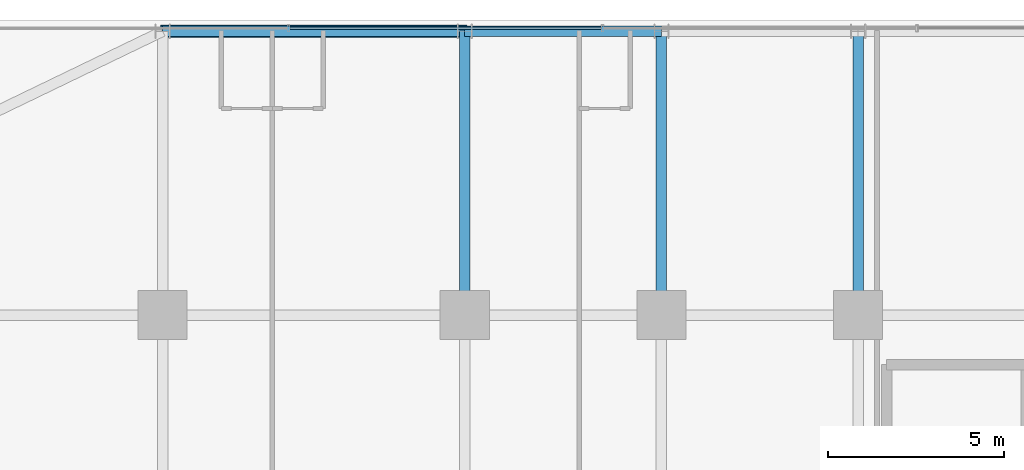
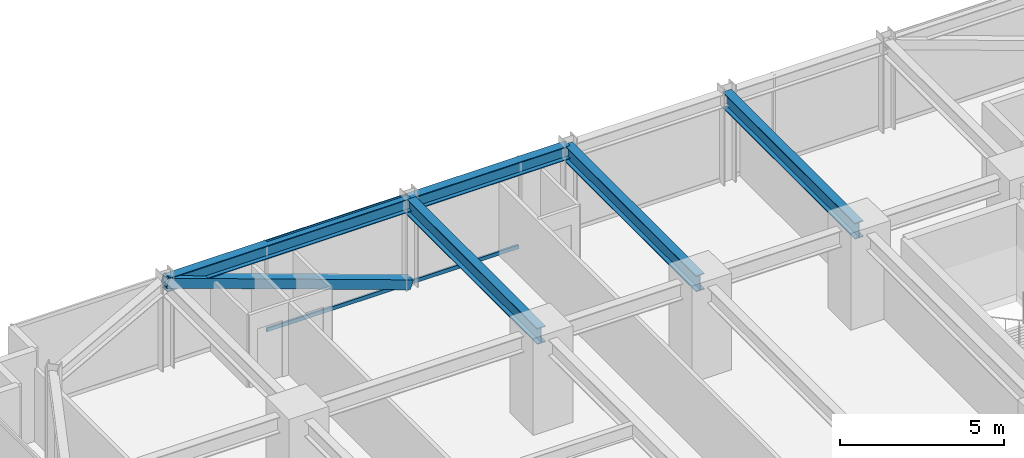
# One storey, part 24 of 38: 5 beams, 3 members, 1 element without a shape of its own.
"""IFC4 building model written with IfcOpenShell, lengths in metres."""

from ifc_helpers import new_model, si_unit, direction, frame, origin, origin_2d, place, context, subcontext, project, spatial, hollow_rectangle, i_section, extrude, source, transform, mapped, material, material_profile, profile_set, type_object, element, aggregate, save


model = new_model("IFC4")

# Units and contexts
model_context = context("Model", 3, precision=1e-05, world=origin(), true_north=direction((0.0, 1.0)))
body_context = subcontext(model_context, "Body", "Model", "MODEL_VIEW")
ifc_project = project(units=[si_unit("LENGTHUNIT", "METRE"), si_unit("AREAUNIT", "SQUARE_METRE"), si_unit("VOLUMEUNIT", "CUBIC_METRE"), si_unit("PLANEANGLEUNIT", "RADIAN"), si_unit("MASSUNIT", "GRAM", prefix="KILO")], contexts=[model_context])

# Site, building, storey
site_placement = place(None, origin())
site = spatial("IfcSite", under=ifc_project, at=site_placement, CompositionType="ELEMENT")
building_placement = place(site_placement, origin())
building = spatial("IfcBuilding", under=site, at=building_placement, Name="Nahalor Promenade Grand Hotel", CompositionType="ELEMENT")
storey_placement = place(building_placement, frame((0.0, 0.0, 50.64990234375)))
storey = spatial("IfcBuildingStorey", under=building, at=storey_placement, Name="L11", CompositionType="ELEMENT", Elevation=50.64990234375)

# Beams
ifc_material_1 = material(Name="Steel S355JR", Category="steel")
ifc_material_profile_1 = material_profile(ifc_material_1, i_section(OverallWidth=0.3, OverallDepth=0.5, WebThickness=0.0145, FlangeThickness=0.028, at=origin_2d()), Name="HEB 500")
ifc_profile_set_1 = profile_set([ifc_material_profile_1], Name="Steel S355JR")
beam_type_1 = type_object("IfcBeamType", Name="Beam-Spandrel-HEB500", PredefinedType="SPANDREL", material=ifc_profile_set_1)
shared_shape_1 = source(origin(), body_context, "Body", "SweptSolid", [
    extrude(i_section(OverallWidth=0.3, OverallDepth=0.5, WebThickness=0.0145, FlangeThickness=0.028, at=origin_2d()), origin(), (0.0, 0.0, 1.0), 8.60009765625),
])
beam_1_placement = place(storey_placement, frame((-17.0, 25.080078125, 3.1201171875), z_axis=(1.0, 0.0, 0.0), x_axis=(0.0, 1.0, 0.0)))
element("IfcBeam", 1, at=beam_1_placement, inside=storey, type_object=beam_type_1, Name="BM-L11-SP-N-0", PredefinedType="SPANDREL", context=body_context, shape_type="MappedRepresentation", body=[
    mapped(shared_shape_1, transform((0.0, 0.0, 0.0), scale=1.0)),
])
shared_shape_2 = source(origin(), body_context, "Body", "SweptSolid", [
    extrude(i_section(OverallWidth=0.3, OverallDepth=0.5, WebThickness=0.0145, FlangeThickness=0.028, at=origin_2d()), origin(), (0.0, 0.0, 1.0), 5.599853515625),
])
beam_2_placement = place(storey_placement, frame((-8.39990234375, 25.080078125, 3.1201171875), z_axis=(1.0, 0.0, 0.0), x_axis=(0.0, 1.0, 0.0)))
element("IfcBeam", 2, at=beam_2_placement, inside=storey, type_object=beam_type_1, Name="BM-L11-SP-N-1", PredefinedType="SPANDREL", context=body_context, shape_type="MappedRepresentation", body=[
    mapped(shared_shape_2, transform((0.0, 0.0, 0.0), scale=1.0)),
])
ifc_material_profile_2 = material_profile(ifc_material_1, i_section(OverallWidth=0.3, OverallDepth=0.6, WebThickness=0.0155, FlangeThickness=0.03, at=origin_2d()), Name="HEB 600")
ifc_profile_set_2 = profile_set([ifc_material_profile_2], Name="Steel S355JR")
beam_type_2 = type_object("IfcBeamType", Name="Beam-Girder-HEB600", PredefinedType="BEAM", material=ifc_profile_set_2)
shared_shape_3 = source(origin(), body_context, "Body", "SweptSolid", [
    extrude(i_section(OverallWidth=0.3, OverallDepth=0.6, WebThickness=0.0155, FlangeThickness=0.03, at=origin_2d()), origin(), (0.0, 0.0, 1.0), 8.080078125),
])
for number, where, z_axis, x_axis, name in (
    (3, (-8.39990234375, 17.0, 3.070068359375), (0.0, 1.0, 0.0), (-1.0, 0.0, 0.0), "BM-L11-GY-1-4"),
    (4, (-2.800048828125, 17.0, 3.070068359375), (0.0, 1.0, 0.0), (-1.0, 0.0, 0.0), "BM-L11-GY-2-4"),
    (5, (2.800048828125, 17.0, 3.070068359375), (0.0, 1.0, 0.0), (-1.0, 0.0, 0.0), "BM-L11-GY-3-4"),
):
    element("IfcBeam", number, at=place(storey_placement, frame(where, z_axis=z_axis, x_axis=x_axis)), inside=storey, type_object=beam_type_2, Name=name, PredefinedType="BEAM", context=body_context, shape_type="MappedRepresentation", body=[
        mapped(shared_shape_3, transform((0.0, 0.0, 0.0), scale=1.0)),
    ])

# Member
ifc_material_profile_3 = material_profile(ifc_material_1, hollow_rectangle(XDim=0.35, YDim=0.35, WallThickness=0.02, at=origin_2d()), Name="SHS 350x350x20")
ifc_profile_set_3 = profile_set([ifc_material_profile_3], Name="Steel S355JR")
member_type_1 = type_object("IfcMemberType", Name="Mem-VoidBrace-SHS350", PredefinedType="BRACE", material=ifc_profile_set_3)
shared_shape_4 = source(origin(), body_context, "Body", "SweptSolid", [
    extrude(hollow_rectangle(XDim=0.35, YDim=0.35, WallThickness=0.02, at=origin_2d()), origin(), (0.0, 0.0, 1.0), 9.131591796875),
])
member_1_placement = place(storey_placement, frame((-8.39990234375, 25.080078125, 0.150146484375), z_axis=(-0.941790292179, 0.0, 0.336200900589), x_axis=(0.0, -1.0, 0.0)))
element("IfcMember", 6, at=member_1_placement, inside=storey, type_object=member_type_1, Name="EXO-L11-N-0", PredefinedType="BRACE", context=body_context, shape_type="MappedRepresentation", body=[
    mapped(shared_shape_4, transform((0.0, 0.0, 0.0), scale=1.0)),
])

# Curtain wall, members
ifc_material_2 = material(Name="Anodised Bronze Aluminium EN AW-6063 T6", Category="aluminium")
curtain_wall_type = type_object("IfcCurtainWallType", Name="CW3 Elliptical-Void Collar Unitised Curtain Wall", PredefinedType="USERDEFINED", material=ifc_material_2)
curtain_wall_placement = place(storey_placement, origin())
curtain_wall = element("IfcCurtainWall", 7, at=curtain_wall_placement, inside=storey, type_object=curtain_wall_type, Name="L11 Curtain Wall CW-L11-N-1", ObjectType="UNITISED_CURTAIN_WALL", PredefinedType="USERDEFINED")
ifc_material_profile_4 = material_profile(ifc_material_2, hollow_rectangle(XDim=0.07, YDim=0.14, WallThickness=0.004, at=origin_2d()), Name="CWT 70x140x4")
ifc_profile_set_4 = profile_set([ifc_material_profile_4], Name="Anodised Bronze Aluminium EN AW-6063 T6")
member_type_2 = type_object("IfcMemberType", Name="CWT3 Void Collar Transom 70x140", PredefinedType="USERDEFINED", material=ifc_profile_set_4)
shared_shape_5 = source(origin(), body_context, "Body", "SweptSolid", [
    extrude(hollow_rectangle(XDim=0.07, YDim=0.14, WallThickness=0.004, at=origin_2d()), origin(), (0.0, 0.0, 1.0), 8.8740234375),
])
member_2_placement = place(storey_placement, frame((-13.381103515625, 25.159912109375, 0.070068359375), z_axis=(1.0, 0.0, 0.0), x_axis=(0.0, 1.0, 0.0)))
member_2 = element("IfcMember", 8, at=member_2_placement, type_object=member_type_2, Name="CW-L11-N-1 Transom 1-0", ObjectType="TRANSOM", PredefinedType="USERDEFINED", context=body_context, shape_type="MappedRepresentation", body=[
    mapped(shared_shape_5, transform((0.0, 0.0, 0.0), scale=1.0)),
])
member_3_placement = place(storey_placement, frame((-13.381103515625, 25.159912109375, 3.300048828125), z_axis=(1.0, 0.0, 0.0), x_axis=(0.0, 1.0, 0.0)))
member_3 = element("IfcMember", 9, at=member_3_placement, type_object=member_type_2, Name="CW-L11-N-1 Transom 1-1", ObjectType="TRANSOM", PredefinedType="USERDEFINED", context=body_context, shape_type="MappedRepresentation", body=[
    mapped(shared_shape_5, transform((0.0, 0.0, 0.0), scale=1.0)),
])
aggregate(curtain_wall, [member_2, member_3])

save(model, "model.ifc")
